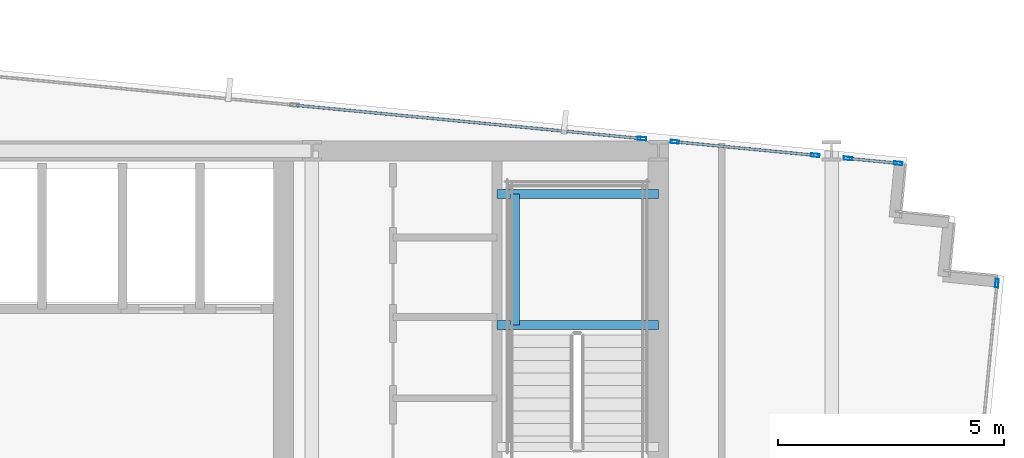
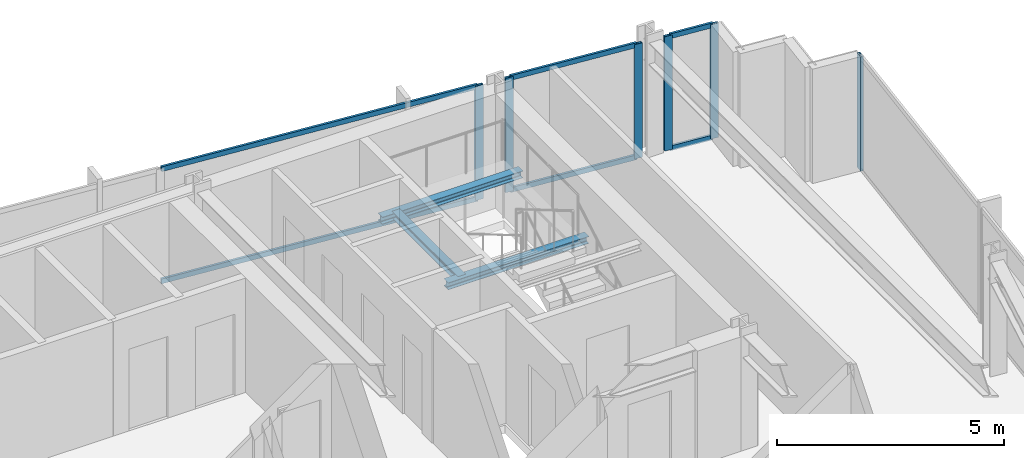
# One storey, part 27 of 37: 12 members, 3 beams, 4 elements without a shape of their own.
"""IFC4 building model written with IfcOpenShell, lengths in metres."""

from ifc_helpers import new_model, si_unit, direction, frame, origin, origin_2d, place, context, subcontext, project, spatial, hollow_rectangle, i_section, extrude, material, material_profile, profile_set, type_object, element, aggregate, save


model = new_model("IFC4")

# Units and contexts
model_context = context("Model", 3, precision=1e-05, world=origin(), true_north=direction((0.0, 1.0)))
body_context = subcontext(model_context, "Body", "Model", "MODEL_VIEW")
ifc_project = project(units=[si_unit("LENGTHUNIT", "METRE"), si_unit("AREAUNIT", "SQUARE_METRE"), si_unit("VOLUMEUNIT", "CUBIC_METRE"), si_unit("PLANEANGLEUNIT", "RADIAN"), si_unit("MASSUNIT", "GRAM", prefix="KILO")], contexts=[model_context])

# Site, building, storey
site_placement = place(None, origin())
site = spatial("IfcSite", under=ifc_project, at=site_placement, CompositionType="ELEMENT")
building_placement = place(site_placement, origin())
building = spatial("IfcBuilding", under=site, at=building_placement, Name="Yelkora Congress Tower", CompositionType="ELEMENT")
storey_placement = place(building_placement, frame((0.0, 0.0, 182.0)))
storey = spatial("IfcBuildingStorey", under=building, at=storey_placement, Name="L50", CompositionType="ELEMENT", Elevation=182.0)

# Beams
ifc_material_1 = material(Name="Steel S355J2", Category="steel")
ifc_material_profile_1 = material_profile(ifc_material_1, i_section(OverallWidth=0.199951171875, OverallDepth=0.18994140625, WebThickness=0.006591796875, FlangeThickness=0.010009765625, FilletRadius=0.01806640625, at=origin_2d()), Name="HEA 200")
ifc_profile_set_1 = profile_set([ifc_material_profile_1], Name="Steel S355J2")
beam_type = type_object("IfcBeamType", Name="BM-LAND-HEA200", PredefinedType="BEAM", material=ifc_profile_set_1)
for number, where, z_axis, x_axis, name in (
    (1, (50.179931640625, 42.340087890625, 1.334716796875), (1.0, 0.0, 0.0), (0.0, 1.0, 0.0), "ST-02 L50 Landing Header Beam 1S"),
    (2, (50.179931640625, 45.25, 1.334716796875), (1.0, 0.0, 0.0), (0.0, 1.0, 0.0), "ST-02 L50 Landing Header Beam 1N"),
):
    element("IfcBeam", number, at=place(storey_placement, frame(where, z_axis=z_axis, x_axis=x_axis)), inside=storey, type_object=beam_type, Name=name, PredefinedType="BEAM", context=body_context, shape_type="SweptSolid", body=[
        extrude(i_section(OverallWidth=0.199951171875, OverallDepth=0.18994140625, WebThickness=0.006591796875, FlangeThickness=0.010009765625, FilletRadius=0.01806640625, at=origin_2d()), origin(), (0.0, 0.0, 1.0), 3.580078125),
    ])
beam_placement = place(storey_placement, frame((50.580078125, 42.340087890625, 1.334716796875), z_axis=(0.0, 1.0, 0.0), x_axis=(-1.0, 0.0, 0.0)))
element("IfcBeam", 3, at=beam_placement, inside=storey, type_object=beam_type, Name="ST-02 L50 Landing Trimmer Beam 1M", PredefinedType="BEAM", context=body_context, shape_type="SweptSolid", body=[
    extrude(i_section(OverallWidth=0.199951171875, OverallDepth=0.18994140625, WebThickness=0.006591796875, FlangeThickness=0.010009765625, FilletRadius=0.01806640625, at=origin_2d()), origin(), (0.0, 0.0, 1.0), 2.909912109375),
])

# Curtain wall, member
ifc_material_2 = material(Name="Anodised aluminium and insulated glass", Category="aluminium")
curtain_wall_type = type_object("IfcCurtainWallType", Name="CW-SYS-B3", PredefinedType="NOTDEFINED", material=ifc_material_2)
curtain_wall_1_placement = place(storey_placement, origin())
curtain_wall_1 = element("IfcCurtainWall", 4, at=curtain_wall_1_placement, inside=storey, type_object=curtain_wall_type, Name="L50 Unitised Curtain Wall 10 (1)", PredefinedType="NOTDEFINED")
ifc_material_3 = material(Name="Anodised aluminium 6063-T6", Category="aluminium")
ifc_material_profile_2 = material_profile(ifc_material_3, hollow_rectangle(XDim=0.070068359375, YDim=0.18994140625, WallThickness=0.00390625, at=origin_2d()), Name="ALU 70x190x4")
ifc_profile_set_2 = profile_set([ifc_material_profile_2], Name="Anodised aluminium 6063-T6")
member_type_1 = type_object("IfcMemberType", Name="MEM-ML-B3", PredefinedType="MULLION", material=ifc_profile_set_2)
member_1_placement = place(storey_placement, frame((53.396240234375, 46.47314453125, 0.0), z_axis=(0.0, 0.0, 1.0), x_axis=(0.095844761168, 0.995396293823, 0.0)))
member_1 = element("IfcMember", 5, at=member_1_placement, type_object=member_type_1, Name="CW-B3 mullion 7", PredefinedType="MULLION", context=body_context, shape_type="SweptSolid", body=[
    extrude(hollow_rectangle(XDim=0.070068359375, YDim=0.18994140625, WallThickness=0.00390625, at=origin_2d()), origin(), (0.0, 0.0, 1.0), 3.080078125),
])

# Curtain wall, members
curtain_wall_2_placement = place(storey_placement, origin())
curtain_wall_2 = element("IfcCurtainWall", 6, at=curtain_wall_2_placement, inside=storey, type_object=curtain_wall_type, Name="L50 Unitised Curtain Wall 10 (2)", PredefinedType="NOTDEFINED")
member_2_placement = place(storey_placement, frame((54.123779296875, 46.40283203125, 0.0), z_axis=(0.0, 0.0, 1.0), x_axis=(0.095848309157, 0.995395952188, 0.0)))
member_2 = element("IfcMember", 7, at=member_2_placement, type_object=member_type_1, Name="CW-B3 mullion 1", PredefinedType="MULLION", context=body_context, shape_type="SweptSolid", body=[
    extrude(hollow_rectangle(XDim=0.070068359375, YDim=0.18994140625, WallThickness=0.00390625, at=origin_2d()), origin(), (0.0, 0.0, 1.0), 3.080078125),
])
member_3_placement = place(storey_placement, frame((57.236083984375, 46.103271484375, 0.0), z_axis=(0.0, 0.0, 1.0), x_axis=(0.095848309157, 0.995395952188, 0.0)))
member_3 = element("IfcMember", 8, at=member_3_placement, type_object=member_type_1, Name="CW-B3 mullion 2", PredefinedType="MULLION", context=body_context, shape_type="SweptSolid", body=[
    extrude(hollow_rectangle(XDim=0.070068359375, YDim=0.18994140625, WallThickness=0.00390625, at=origin_2d()), origin(), (0.0, 0.0, 1.0), 3.080078125),
])

curtain_wall_3_placement = place(storey_placement, origin())
curtain_wall_3 = element("IfcCurtainWall", 9, at=curtain_wall_3_placement, inside=storey, type_object=curtain_wall_type, Name="L50 Unitised Curtain Wall 10 (3)", PredefinedType="NOTDEFINED")
member_4_placement = place(storey_placement, frame((57.9638671875, 46.033203125, 0.0), z_axis=(0.0, 0.0, 1.0), x_axis=(0.095852281686, 0.995395569658, 0.0)))
member_4 = element("IfcMember", 10, at=member_4_placement, type_object=member_type_1, Name="CW-B3 mullion 1", PredefinedType="MULLION", context=body_context, shape_type="SweptSolid", body=[
    extrude(hollow_rectangle(XDim=0.070068359375, YDim=0.18994140625, WallThickness=0.00390625, at=origin_2d()), origin(), (0.0, 0.0, 1.0), 3.080078125),
])
member_5_placement = place(storey_placement, frame((59.073974609375, 45.92626953125, 0.0), z_axis=(0.0, 0.0, 1.0), x_axis=(0.095852281686, 0.995395569658, 0.0)))
member_5 = element("IfcMember", 11, at=member_5_placement, type_object=member_type_1, Name="CW-B3 mullion 2", PredefinedType="MULLION", context=body_context, shape_type="SweptSolid", body=[
    extrude(hollow_rectangle(XDim=0.070068359375, YDim=0.18994140625, WallThickness=0.00390625, at=origin_2d()), origin(), (0.0, 0.0, 1.0), 3.080078125),
])

# Curtain wall, member
curtain_wall_4_placement = place(storey_placement, origin())
curtain_wall_4 = element("IfcCurtainWall", 12, at=curtain_wall_4_placement, inside=storey, type_object=curtain_wall_type, Name="L50 Unitised Curtain Wall 15", PredefinedType="NOTDEFINED")
member_6_placement = place(storey_placement, frame((61.26416015625, 43.26904296875, 0.0), z_axis=(0.0, 0.0, 1.0), x_axis=(0.995396565076, -0.095841944023, 0.0)))
member_6 = element("IfcMember", 13, at=member_6_placement, type_object=member_type_1, Name="CW-B3 mullion 1", PredefinedType="MULLION", context=body_context, shape_type="SweptSolid", body=[
    extrude(hollow_rectangle(XDim=0.070068359375, YDim=0.18994140625, WallThickness=0.00390625, at=origin_2d()), origin(), (0.0, 0.0, 1.0), 3.080078125),
])
aggregate(curtain_wall_4, [member_6])

# Member
ifc_material_profile_3 = material_profile(ifc_material_3, hollow_rectangle(XDim=0.06005859375, YDim=0.1298828125, WallThickness=0.00390625, at=origin_2d()), Name="ALU 60x130x4")
ifc_profile_set_3 = profile_set([ifc_material_profile_3], Name="Anodised aluminium 6063-T6")
member_type_2 = type_object("IfcMemberType", Name="MEM-TR-B3", PredefinedType="USERDEFINED", material=ifc_profile_set_3)
member_7_placement = place(storey_placement, frame((45.732177734375, 47.2109375, 0.030029296875), z_axis=(0.99539600529, -0.095847757686, 0.0), x_axis=(0.095847757686, 0.99539600529, 0.0)))
member_7 = element("IfcMember", 14, at=member_7_placement, type_object=member_type_2, Name="CW-B3 transom 6.1", ObjectType="TRANSOM", PredefinedType="USERDEFINED", context=body_context, shape_type="SweptSolid", body=[
    extrude(hollow_rectangle(XDim=0.06005859375, YDim=0.1298828125, WallThickness=0.00390625, at=origin_2d()), origin(), (0.0, 0.0, 1.0), 7.66455078125),
])

member_8_placement = place(storey_placement, frame((45.732177734375, 47.2109375, 3.050048828125), z_axis=(0.99539600529, -0.095847757686, 0.0), x_axis=(0.095847757686, 0.99539600529, 0.0)))
member_8 = element("IfcMember", 15, at=member_8_placement, type_object=member_type_2, Name="CW-B3 transom 6.2", ObjectType="TRANSOM", PredefinedType="USERDEFINED", context=body_context, shape_type="SweptSolid", body=[
    extrude(hollow_rectangle(XDim=0.06005859375, YDim=0.1298828125, WallThickness=0.00390625, at=origin_2d()), origin(), (0.0, 0.0, 1.0), 7.66455078125),
])

aggregate(curtain_wall_1, [member_1, member_7, member_8])

member_9_placement = place(storey_placement, frame((54.15869140625, 46.399658203125, 0.030029296875), z_axis=(0.995396582455, -0.095841763536, 0.0), x_axis=(0.095841763536, 0.995396582455, 0.0)))
member_9 = element("IfcMember", 16, at=member_9_placement, type_object=member_type_2, Name="CW-B3 transom 1.1", ObjectType="TRANSOM", PredefinedType="USERDEFINED", context=body_context, shape_type="SweptSolid", body=[
    extrude(hollow_rectangle(XDim=0.06005859375, YDim=0.1298828125, WallThickness=0.00390625, at=origin_2d()), origin(), (0.0, 0.0, 1.0), 3.056884765625),
])

member_10_placement = place(storey_placement, frame((54.15869140625, 46.399658203125, 3.050048828125), z_axis=(0.995396582455, -0.095841763536, 0.0), x_axis=(0.095841763536, 0.995396582455, 0.0)))
member_10 = element("IfcMember", 17, at=member_10_placement, type_object=member_type_2, Name="CW-B3 transom 1.2", ObjectType="TRANSOM", PredefinedType="USERDEFINED", context=body_context, shape_type="SweptSolid", body=[
    extrude(hollow_rectangle(XDim=0.06005859375, YDim=0.1298828125, WallThickness=0.00390625, at=origin_2d()), origin(), (0.0, 0.0, 1.0), 3.056884765625),
])

aggregate(curtain_wall_2, [member_2, member_3, member_9, member_10])

member_11_placement = place(storey_placement, frame((57.998779296875, 46.02978515625, 0.030029296875), z_axis=(0.995402606714, -0.095779175957, 0.0), x_axis=(0.095779175957, 0.995402606714, 0.0)))
member_11 = element("IfcMember", 18, at=member_11_placement, type_object=member_type_2, Name="CW-B3 transom 1.1", ObjectType="TRANSOM", PredefinedType="USERDEFINED", context=body_context, shape_type="SweptSolid", body=[
    extrude(hollow_rectangle(XDim=0.06005859375, YDim=0.1298828125, WallThickness=0.00390625, at=origin_2d()), origin(), (0.0, 0.0, 1.0), 1.045166015625),
])

member_12_placement = place(storey_placement, frame((57.998779296875, 46.02978515625, 3.050048828125), z_axis=(0.995402606714, -0.095779175957, 0.0), x_axis=(0.095779175957, 0.995402606714, 0.0)))
member_12 = element("IfcMember", 19, at=member_12_placement, type_object=member_type_2, Name="CW-B3 transom 1.2", ObjectType="TRANSOM", PredefinedType="USERDEFINED", context=body_context, shape_type="SweptSolid", body=[
    extrude(hollow_rectangle(XDim=0.06005859375, YDim=0.1298828125, WallThickness=0.00390625, at=origin_2d()), origin(), (0.0, 0.0, 1.0), 1.045166015625),
])

aggregate(curtain_wall_3, [member_4, member_5, member_11, member_12])

save(model, "model.ifc")
